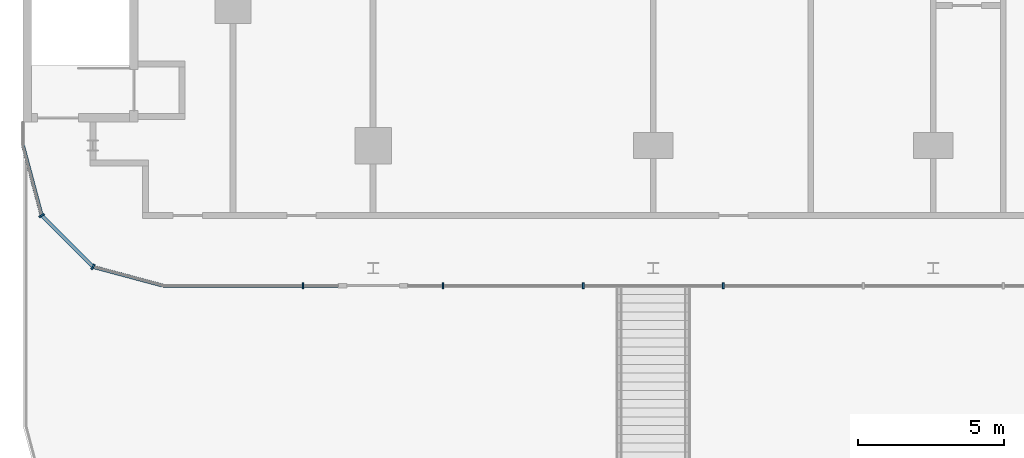
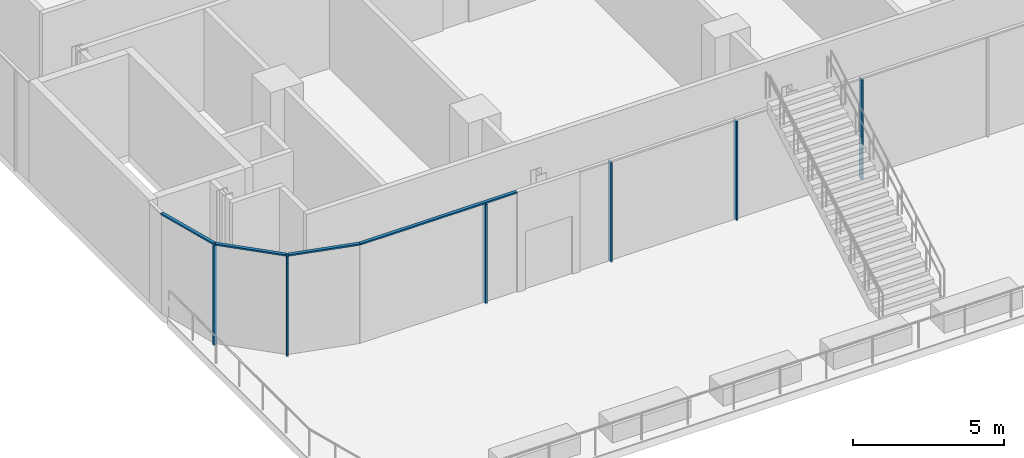
# One storey, part 5 of 32: 10 members, 2 elements without a shape of their own.
"""IFC4 building model written with IfcOpenShell, lengths in metres."""

import ifcopenshell
import ifcopenshell.guid

model = None  # the IFC model being written
_history = None  # IfcOwnerHistory: only IFC2X3 demands one
_inside = {}  # id of a spatial element -> (the spatial element, [elements in it])
_under = {}  # id of a project, library or spatial element -> (it, [spatial elements below it])
_declared = {}  # id of a project -> (the project, [libraries it declares])
_typed = {}  # id of a type object -> (the type object, [elements of that type])
_made_of = {}  # id of a material, layer set ... -> (it, [elements and type objects made of it])


def new_model(schema):
    """Start an empty IFC model of exactly this schema.

    Asked for "IFC4X3", IfcOpenShell would pick the latest addendum, in which some entities
    have other attributes; the version numbers below select the first issue.
    IFC2X3 requires an IfcOwnerHistory on every rooted entity: one is made here for all.
    """
    global model, _history
    if schema == "IFC4X3":
        model = ifcopenshell.file(schema_version=(4, 3, 0, 0))
    else:
        model = ifcopenshell.file(schema=schema)
    _inside.clear()
    _under.clear()
    _declared.clear()
    _typed.clear()
    _made_of.clear()
    _history = None
    if model.schema == "IFC2X3":
        org = make("IfcOrganization", Name="unknown")
        user = make(
            "IfcPersonAndOrganization",
            ThePerson=make("IfcPerson", FamilyName="unknown"),
            TheOrganization=org,
        )
        app = make(
            "IfcApplication",
            ApplicationDeveloper=org,
            Version="unknown",
            ApplicationFullName="unknown",
            ApplicationIdentifier="unknown",
        )
        _history = make(
            "IfcOwnerHistory",
            OwningUser=user,
            OwningApplication=app,
            ChangeAction="ADDED",
            CreationDate=0,
        )
    return model


def make(cls, **values):
    """One entity of the class cls with the attributes given. An attribute that is None is left unset."""
    return model.create_entity(
        cls, **{name: value for name, value in values.items() if value is not None}
    )


def rooted(cls, **values):
    """An entity with a GlobalId (a new one), such as an element, a storey or a relation."""
    return make(cls, GlobalId=ifcopenshell.guid.new(), OwnerHistory=_history, **values)


def si_unit(unit_type, name, prefix=None):
    """IfcSIUnit, for example si_unit("LENGTHUNIT", "METRE", prefix="MILLI")."""
    return make("IfcSIUnit", UnitType=unit_type, Prefix=prefix, Name=name)


def assignment(units):
    """IfcUnitAssignment: the units of a project."""
    return None if units is None else make("IfcUnitAssignment", Units=units)


def point(xyz):
    """IfcCartesianPoint."""
    return None if xyz is None else make("IfcCartesianPoint", Coordinates=xyz)


def direction(xyz):
    """IfcDirection."""
    return None if xyz is None else make("IfcDirection", DirectionRatios=xyz)


def frame(location, z_axis=None, x_axis=None):
    """IfcAxis2Placement3D, a coordinate frame: its origin and axes. An axis left out is left unset."""
    return make(
        "IfcAxis2Placement3D",
        Location=point(location),
        Axis=direction(z_axis),
        RefDirection=direction(x_axis),
    )


def frame_2d(location, x_axis=None):
    """IfcAxis2Placement2D, a coordinate frame in the plane: its origin and x axis."""
    return make(
        "IfcAxis2Placement2D", Location=point(location), RefDirection=direction(x_axis)
    )


def origin():
    """The frame at (0, 0, 0) with its axes left unset."""
    return frame((0.0, 0.0, 0.0))


def origin_2d():
    """The frame at (0, 0) in the plane with its x axis left unset."""
    return frame_2d((0.0, 0.0))


def place(relative_to, where):
    """IfcLocalPlacement: puts the frame where relative to a parent placement (None: the world)."""
    return make(
        "IfcLocalPlacement", PlacementRelTo=relative_to, RelativePlacement=where
    )


def context(
    kind, dimensions, precision=None, world=None, true_north=None, identifier=None
):
    """IfcGeometricRepresentationContext, for example the 3D "Model" context."""
    return make(
        "IfcGeometricRepresentationContext",
        ContextIdentifier=identifier,
        ContextType=kind,
        CoordinateSpaceDimension=dimensions,
        Precision=precision,
        WorldCoordinateSystem=world,
        TrueNorth=true_north,
    )


def subcontext(parent, identifier, kind, view, scale=None):
    """IfcGeometricRepresentationSubContext, for example "Body" below "Model"."""
    return make(
        "IfcGeometricRepresentationSubContext",
        ContextIdentifier=identifier,
        ContextType=kind,
        ParentContext=parent,
        TargetScale=scale,
        TargetView=view,
    )


def project(units=None, contexts=None):
    """IfcProject with its units and contexts."""
    return rooted(
        "IfcProject",
        Name="project",
        RepresentationContexts=contexts,
        UnitsInContext=assignment(units),
    )


def spatial(cls, under=None, at=None, **own):
    """A site, building, storey or space (cls), placed at a placement, below another one or the project."""
    s = rooted(cls, ObjectPlacement=at, **own)
    if under is not None:
        _under.setdefault(under.id(), (under, []))[1].append(s)
    return s


def profile(cls, at=None, kind="AREA", **sizes):
    """A parametric profile (cls). Its sizes go by their IFC names, for example OverallWidth=200.0."""
    return make(cls, ProfileType=kind, Position=at, **sizes)


def rectangle(**sizes):
    """IfcRectangleProfileDef."""
    return profile("IfcRectangleProfileDef", **sizes)


def extrude(swept, where, along, depth):
    """IfcExtrudedAreaSolid: the profile swept, set in the frame where, extruded along a direction by depth."""
    return make(
        "IfcExtrudedAreaSolid",
        SweptArea=swept,
        Position=where,
        ExtrudedDirection=direction(along),
        Depth=depth,
    )


def shape(context_of_items, identifier, shape_type, items):
    """IfcShapeRepresentation: the items that make up one representation, for example the "Body"."""
    return make(
        "IfcShapeRepresentation",
        ContextOfItems=context_of_items,
        RepresentationIdentifier=identifier,
        RepresentationType=shape_type,
        Items=items,
    )


def material(Name=None, Category=None):
    """IfcMaterial."""
    return make("IfcMaterial", Name=Name, Category=Category)


def layer(
    of_material, thickness, ventilated=None, Name=None, Category=None, Priority=None
):
    """IfcMaterialLayer: one layer of a wall or slab, of a material (None: an air gap)."""
    return make(
        "IfcMaterialLayer",
        Material=of_material,
        LayerThickness=thickness,
        IsVentilated=ventilated,
        Name=Name,
        Category=Category,
        Priority=Priority,
    )


def layer_set(layers, Name=None):
    """IfcMaterialLayerSet."""
    return make("IfcMaterialLayerSet", MaterialLayers=layers, LayerSetName=Name)


def material_profile(
    of_material, cross_section, Name=None, Category=None, Priority=None
):
    """IfcMaterialProfile: a cross section and its material."""
    return make(
        "IfcMaterialProfile",
        Name=Name,
        Material=of_material,
        Profile=cross_section,
        Priority=Priority,
        Category=Category,
    )


def profile_set(profiles, Name=None, composite=None):
    """IfcMaterialProfileSet."""
    return make(
        "IfcMaterialProfileSet",
        Name=Name,
        MaterialProfiles=profiles,
        CompositeProfile=composite,
    )


def made_of(thing, what):
    """Note that an element or type object is made of a material, layer set ...; save() writes the relation."""
    if what is not None:
        _made_of.setdefault(what.id(), (what, []))[1].append(thing)
    return thing


def type_object(cls, material=None, **own):
    """A type object (cls), such as IfcWallType, which elements share."""
    return made_of(rooted(cls, **own), material)


def element(
    cls,
    number,
    at=None,
    inside=None,
    cuts=None,
    type_object=None,
    material=None,
    context=None,
    identifier="Body",
    shape_type=None,
    held_by="IfcProductDefinitionShape",
    body=None,
    shapes=None,
    **own,
):
    """One element of the class cls, such as IfcWall. Its Tag is "e" and its number.

    at: its placement. inside: the storey or other place that contains it. cuts: it is an
    opening in that element (IfcRelVoidsElement). A single representation is given by context,
    identifier, shape_type and body (its items); several are given by shapes. held_by: the class
    of the entity that holds the representations. save() writes the other relations.
    """
    e = rooted(cls, Tag="e%d" % number, ObjectPlacement=at, **own)
    if body is not None:
        shapes = [shape(context, identifier, shape_type, body)]
    if shapes is not None:
        e.Representation = make(held_by, Representations=shapes)
    if inside is not None:
        _inside.setdefault(inside.id(), (inside, []))[1].append(e)
    if cuts is not None:
        rooted(
            "IfcRelVoidsElement", RelatingBuildingElement=cuts, RelatedOpeningElement=e
        )
    if type_object is not None:
        _typed.setdefault(type_object.id(), (type_object, []))[1].append(e)
    return made_of(e, material)


def aggregate(whole, parts):
    """IfcRelAggregates: a whole, such as a stair, and the parts it consists of."""
    return rooted("IfcRelAggregates", RelatingObject=whole, RelatedObjects=parts)


def save(model, path):
    """Write the relations noted so far, then the file.

    IfcRelAggregates (storeys below a building ...), IfcRelContainedInSpatialStructure (elements
    in a storey), IfcRelDefinesByType, IfcRelAssociatesMaterial and IfcRelDeclares: one each for
    every whole, place, type object, material and project.
    """
    for whole, parts in _under.values():
        aggregate(whole, parts)
    for where, things in _inside.values():
        rooted(
            "IfcRelContainedInSpatialStructure",
            RelatedElements=things,
            RelatingStructure=where,
        )
    for kind, things in _typed.values():
        rooted("IfcRelDefinesByType", RelatedObjects=things, RelatingType=kind)
    for what, things in _made_of.values():
        rooted("IfcRelAssociatesMaterial", RelatedObjects=things, RelatingMaterial=what)
    for by, libraries in _declared.values():
        rooted("IfcRelDeclares", RelatingContext=by, RelatedDefinitions=libraries)
    model.write(path)


model = new_model("IFC4")

# Units and contexts
model_context = context("Model", 3, precision=1e-05, world=origin(), true_north=direction((0.0, 1.0)))
body_context = subcontext(model_context, "Body", "Model", "MODEL_VIEW")
ifc_project = project(units=[si_unit("LENGTHUNIT", "METRE"), si_unit("AREAUNIT", "SQUARE_METRE"), si_unit("VOLUMEUNIT", "CUBIC_METRE"), si_unit("PLANEANGLEUNIT", "RADIAN"), si_unit("MASSUNIT", "GRAM", prefix="KILO")], contexts=[model_context])

# Site, building, storey
site_placement = place(None, origin())
site = spatial("IfcSite", under=ifc_project, at=site_placement, CompositionType="ELEMENT")
building_placement = place(site_placement, origin())
building = spatial("IfcBuilding", under=site, at=building_placement, Name="Madar Terraces", CompositionType="ELEMENT")
storey_placement = place(building_placement, frame((0.0, 0.0, 19.5)))
storey = spatial("IfcBuildingStorey", under=building, at=storey_placement, Name="L04", CompositionType="ELEMENT", Elevation=19.5)

# Curtain wall, members
ifc_material_1 = material(Name="Glass, clear low-iron, with black aluminium frame", Category="aluminium")
ifc_layer = layer(ifc_material_1, 0.199951171875)
ifc_layer_set = layer_set([ifc_layer], Name="Facade curtain wall, shopfront glazing")
curtain_wall_type = type_object("IfcCurtainWallType", Name="Facade curtain wall, shopfront glazing", PredefinedType="NOTDEFINED", material=ifc_layer_set)
curtain_wall_1_placement = place(storey_placement, origin())
curtain_wall_1 = element("IfcCurtainWall", 1, at=curtain_wall_1_placement, inside=storey, type_object=curtain_wall_type, Name="Outer skin curtain wall south bay 1", PredefinedType="NOTDEFINED")
ifc_material_2 = material(Name="Aluminium, black anodised", Category="aluminium")
ifc_material_profile_1 = material_profile(ifc_material_2, rectangle(XDim=0.199951171875, YDim=0.06005859375, at=origin_2d()), Name="Facade mullion 60x200")
ifc_profile_set_1 = profile_set([ifc_material_profile_1], Name="Aluminium, black anodised")
member_type_1 = type_object("IfcMemberType", Name="Facade mullion 60x200", PredefinedType="MULLION", material=ifc_profile_set_1)
member_1_placement = place(storey_placement, frame((2.39990234375, -4.800048828125, 0.0), z_axis=(0.0, 0.0, 1.0), x_axis=(0.0, 1.0, 0.0)))
member_1 = element("IfcMember", 2, at=member_1_placement, type_object=member_type_1, Name="Mullion 1", PredefinedType="MULLION", context=body_context, shape_type="SweptSolid", body=[
    extrude(rectangle(XDim=0.199951171875, YDim=0.06005859375, at=origin_2d()), origin(), (0.0, 0.0, 1.0), 4.0400390625),
])
member_2_placement = place(storey_placement, frame((7.199951171875, -4.800048828125, 0.0), z_axis=(0.0, 0.0, 1.0), x_axis=(0.0, 1.0, 0.0)))
member_2 = element("IfcMember", 3, at=member_2_placement, type_object=member_type_1, Name="Mullion 2", PredefinedType="MULLION", context=body_context, shape_type="SweptSolid", body=[
    extrude(rectangle(XDim=0.199951171875, YDim=0.06005859375, at=origin_2d()), origin(), (0.0, 0.0, 1.0), 4.0400390625),
])
member_3_placement = place(storey_placement, frame((12.0, -4.800048828125, 0.0), z_axis=(0.0, 0.0, 1.0), x_axis=(0.0, 1.0, 0.0)))
member_3 = element("IfcMember", 4, at=member_3_placement, type_object=member_type_1, Name="Mullion 3", PredefinedType="MULLION", context=body_context, shape_type="SweptSolid", body=[
    extrude(rectangle(XDim=0.199951171875, YDim=0.06005859375, at=origin_2d()), origin(), (0.0, 0.0, 1.0), 4.0400390625),
])
member_4_placement = place(storey_placement, frame((16.800048828125, -4.800048828125, 0.0), z_axis=(0.0, 0.0, 1.0), x_axis=(0.0, 1.0, 0.0)))
member_4 = element("IfcMember", 5, at=member_4_placement, type_object=member_type_1, Name="Mullion 4", PredefinedType="MULLION", context=body_context, shape_type="SweptSolid", body=[
    extrude(rectangle(XDim=0.199951171875, YDim=0.06005859375, at=origin_2d()), origin(), (0.0, 0.0, 1.0), 4.0400390625),
])

curtain_wall_2_placement = place(storey_placement, origin())
curtain_wall_2 = element("IfcCurtainWall", 6, at=curtain_wall_2_placement, inside=storey, type_object=curtain_wall_type, Name="Outer skin curtain wall south-west corner", PredefinedType="NOTDEFINED")
member_5_placement = place(storey_placement, frame((-6.556884765625, -2.39990234375, 0.0), z_axis=(0.0, 0.0, 1.0), x_axis=(0.866025409797, 0.499999989586, 0.0)))
member_5 = element("IfcMember", 7, at=member_5_placement, type_object=member_type_1, Name="Mullion 1", PredefinedType="MULLION", context=body_context, shape_type="SweptSolid", body=[
    extrude(rectangle(XDim=0.199951171875, YDim=0.06005859375, at=origin_2d()), origin(), (0.0, 0.0, 1.0), 4.0400390625),
])
member_6_placement = place(storey_placement, frame((-4.800048828125, -4.156982421875, 0.0), z_axis=(0.0, 0.0, 1.0), x_axis=(0.499999989586, 0.866025409797, 0.0)))
member_6 = element("IfcMember", 8, at=member_6_placement, type_object=member_type_1, Name="Mullion 2", PredefinedType="MULLION", context=body_context, shape_type="SweptSolid", body=[
    extrude(rectangle(XDim=0.199951171875, YDim=0.06005859375, at=origin_2d()), origin(), (0.0, 0.0, 1.0), 4.0400390625),
])

# Member
ifc_material_3 = material(Name="Aluminium, black anodised", Category="aluminium")
ifc_material_profile_2 = material_profile(ifc_material_3, rectangle(XDim=0.1201171875, YDim=0.06005859375, at=origin_2d()), Name="Facade transom 60x120")
ifc_profile_set_2 = profile_set([ifc_material_profile_2], Name="Aluminium, black anodised")
member_type_2 = type_object("IfcMemberType", Name="Facade transom 60x120", PredefinedType="USERDEFINED", material=ifc_profile_set_2)
member_7_placement = place(storey_placement, frame((-2.39990234375, -4.800048828125, 4.070068359375), z_axis=(1.0, 0.0, 0.0), x_axis=(0.0, 1.0, 0.0)))
member_7 = element("IfcMember", 9, at=member_7_placement, type_object=member_type_2, Name="Transom 1", ObjectType="TRANSOM", PredefinedType="USERDEFINED", context=body_context, shape_type="SweptSolid", body=[
    extrude(rectangle(XDim=0.1201171875, YDim=0.06005859375, at=origin_2d()), origin(), (0.0, 0.0, 1.0), 6.0),
])

aggregate(curtain_wall_1, [member_1, member_7, member_2, member_3, member_4])

member_8_placement = place(storey_placement, frame((-7.199951171875, 0.0, 4.070068359375), z_axis=(0.258789113195, -0.965933846022, 0.0), x_axis=(0.965933846022, 0.258789113195, 0.0)))
member_8 = element("IfcMember", 10, at=member_8_placement, type_object=member_type_2, Name="Transom 1", ObjectType="TRANSOM", PredefinedType="USERDEFINED", context=body_context, shape_type="SweptSolid", body=[
    extrude(rectangle(XDim=0.1201171875, YDim=0.06005859375, at=origin_2d()), origin(), (0.0, 0.0, 1.0), 2.454833984375),
])

member_9_placement = place(storey_placement, frame((-6.53564453125, -2.421142578125, 4.070068359375), z_axis=(0.707056433593, -0.707157125196, 0.0), x_axis=(0.707157125196, 0.707056433593, 0.0)))
member_9 = element("IfcMember", 11, at=member_9_placement, type_object=member_type_2, Name="Transom 2", ObjectType="TRANSOM", PredefinedType="USERDEFINED", context=body_context, shape_type="SweptSolid", body=[
    extrude(rectangle(XDim=0.1201171875, YDim=0.06005859375, at=origin_2d()), origin(), (0.0, 0.0, 1.0), 2.424560546875),
])

member_10_placement = place(storey_placement, frame((-4.77099609375, -4.164794921875, 4.070068359375), z_axis=(0.965933846022, -0.258789113195, 0.0), x_axis=(0.258789113195, 0.965933846022, 0.0)))
member_10 = element("IfcMember", 12, at=member_10_placement, type_object=member_type_2, Name="Transom 3", ObjectType="TRANSOM", PredefinedType="USERDEFINED", context=body_context, shape_type="SweptSolid", body=[
    extrude(rectangle(XDim=0.1201171875, YDim=0.06005859375, at=origin_2d()), origin(), (0.0, 0.0, 1.0), 2.454833984375),
])

aggregate(curtain_wall_2, [member_5, member_8, member_6, member_9, member_10])

save(model, "model.ifc")
